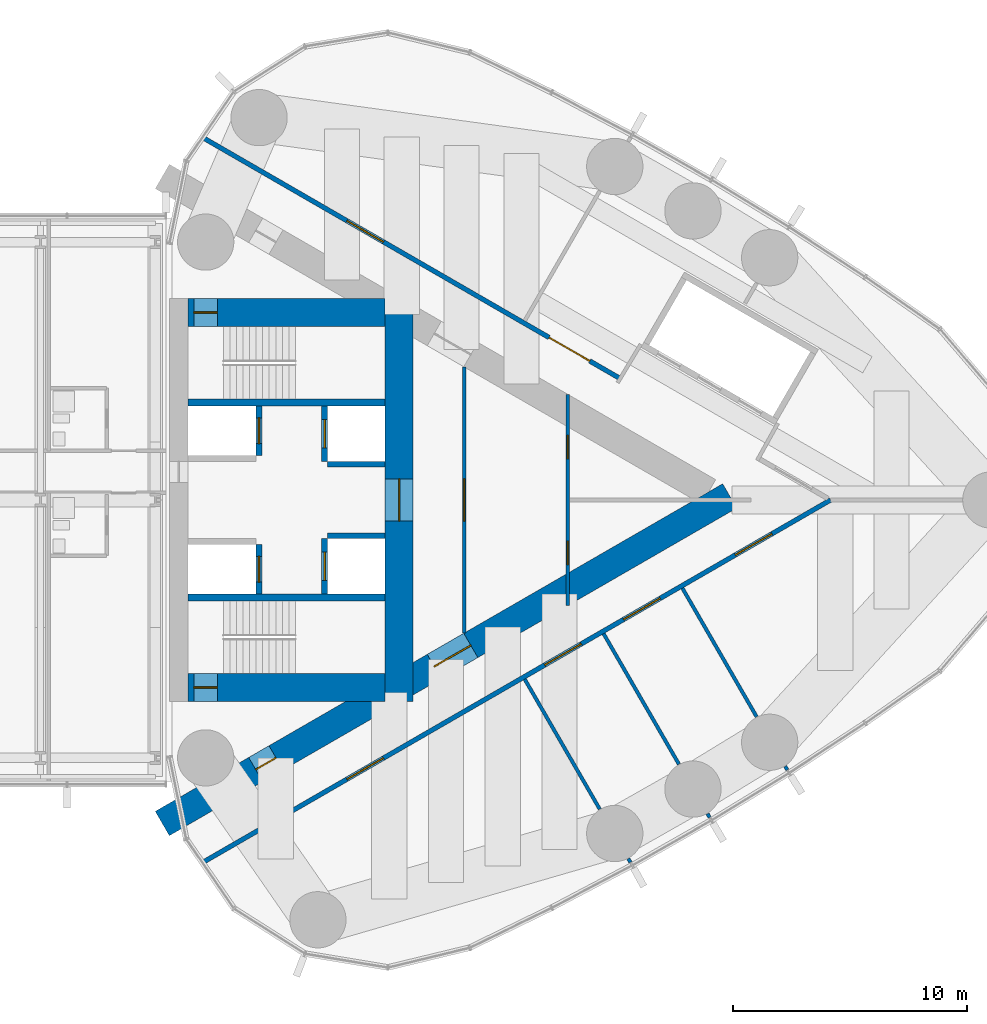
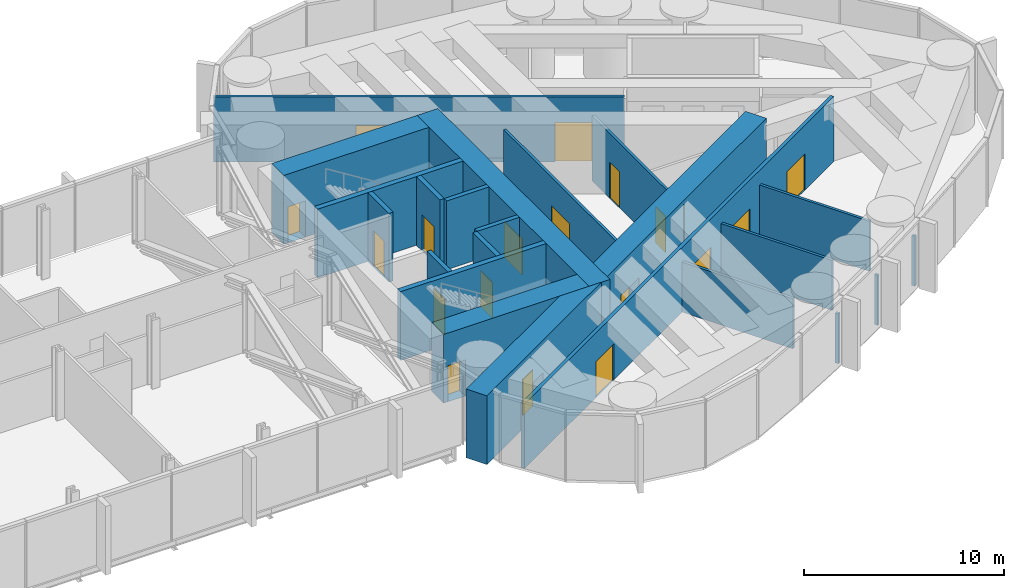
# One storey, part 19 of 23: 22 walls, 18 doors, 18 openings.
"""IFC4 building model written with IfcOpenShell, lengths in metres."""

from ifc_helpers import new_model, si_unit, direction, frame, frame_2d, origin, place, context, subcontext, project, spatial, rectangle, extrude, material, layer, layer_set, type_object, element, fill, save


model = new_model("IFC4")

# Units and contexts
model_context = context("Model", 3, precision=1e-05, world=origin(), true_north=direction((0.0, 1.0)))
body_context = subcontext(model_context, "Body", "Model", "MODEL_VIEW")
ifc_project = project(units=[si_unit("LENGTHUNIT", "METRE"), si_unit("AREAUNIT", "SQUARE_METRE"), si_unit("VOLUMEUNIT", "CUBIC_METRE"), si_unit("PLANEANGLEUNIT", "RADIAN"), si_unit("MASSUNIT", "GRAM", prefix="KILO")], contexts=[model_context])

# Site, building, storey
site_placement = place(None, origin())
site = spatial("IfcSite", under=ifc_project, at=site_placement, CompositionType="ELEMENT")
building_placement = place(site_placement, origin())
building = spatial("IfcBuilding", under=site, at=building_placement, Name="Lancet Gate Hotel", CompositionType="ELEMENT")
storey_placement = place(building_placement, frame((0.0, 0.0, 247.699951171875)))
storey = spatial("IfcBuildingStorey", under=building, at=storey_placement, Name="L66", CompositionType="ELEMENT", Elevation=247.699951171875)

# Wall, openings, doors
ifc_material_1 = material(Name="Concrete C70/85", Category="concrete")
ifc_layer_1 = layer(ifc_material_1, 1.199951171875)
ifc_layer_set_1 = layer_set([ifc_layer_1], Name="Buttress wall 1200")
wall_type_1 = type_object("IfcWallType", Name="Buttress wall 1200", PredefinedType="SHEAR", material=ifc_layer_set_1)
wall_1_placement = place(storey_placement, frame((27.199951171875, -13.800048828125, 0.0), z_axis=(0.0, 0.0, 1.0), x_axis=(0.866027159892, 0.499996958321, 0.0)))
wall_1 = element("IfcWall", 1, at=wall_1_placement, inside=storey, type_object=wall_type_1, Name="T2 buttress wall S L66", PredefinedType="SHEAR", context=body_context, shape_type="SweptSolid", body=[
    extrude(rectangle(XDim=27.946533203125, YDim=1.199951171875, at=frame_2d((13.97314453125, 0.0))), origin(), (0.0, 0.0, 1.0), 4.199951171875),
])
opening_1_placement = place(wall_1_placement, frame((4.60009765625, 0.0, 0.0)))
opening_1 = element("IfcOpeningElement", 2, at=opening_1_placement, cuts=wall_1, Name="Opening T2-L66-LS", PredefinedType="OPENING", context=body_context, shape_type="SweptSolid", body=[
    extrude(rectangle(XDim=1.0, YDim=2.199951171875, at=frame_2d((0.5, 1.10009765625))), frame((0.0, 0.60986328125, 0.0), z_axis=(0.0, -1.0, 0.0), x_axis=(1.0, 0.0, 0.0)), (0.0, 0.0, 1.0), 1.219970703125),
])
opening_2_placement = place(wall_1_placement, frame((13.39453125, 0.0, 0.0)))
opening_2 = element("IfcOpeningElement", 3, at=opening_2_placement, cuts=wall_1, Name="Opening T2-L66-LHS", PredefinedType="OPENING", context=body_context, shape_type="SweptSolid", body=[
    extrude(rectangle(XDim=1.800048828125, YDim=2.199951171875, at=frame_2d((0.89990234375, 1.10009765625))), frame((0.0, 0.60986328125, 0.0), z_axis=(0.0, -1.0, 0.0), x_axis=(1.0, 0.0, 0.0)), (0.0, 0.0, 1.0), 1.219970703125),
])
ifc_material_2 = material(Name="Timber door set", Category="wood")
door_type_1 = type_object("IfcDoorType", Name="Lobby double door 1800", OperationType="DOUBLE_DOOR_SINGLE_SWING", PredefinedType="DOOR", material=ifc_material_2)
door_1_placement = place(opening_2_placement, origin())
door_1 = element("IfcDoor", 4, at=door_1_placement, inside=storey, type_object=door_type_1, Name="T2-L66-LHS", OperationType="DOUBLE_DOOR_SINGLE_SWING", OverallHeight=2.199951171875, OverallWidth=1.800048828125, PredefinedType="DOOR", context=body_context, shape_type="SweptSolid", body=[
    extrude(rectangle(XDim=1.800048828125, YDim=2.199951171875, at=frame_2d((0.89990234375, 1.10009765625))), frame((0.0, 0.02490234375, 0.0), z_axis=(0.0, -1.0, 0.0), x_axis=(1.0, 0.0, 0.0)), (0.0, 0.0, 1.0), 0.050048828125),
])
fill(opening_2, door_1)
ifc_material_3 = material(Name="Timber door set", Category="wood")
door_type_2 = type_object("IfcDoorType", Name="Stair lobby door 1000", OperationType="SINGLE_SWING_LEFT", PredefinedType="DOOR", material=ifc_material_3)
door_2_placement = place(opening_1_placement, origin())
door_2 = element("IfcDoor", 5, at=door_2_placement, inside=storey, type_object=door_type_2, Name="T2-L66-LS", OperationType="SINGLE_SWING_LEFT", OverallHeight=2.199951171875, OverallWidth=1.0, PredefinedType="DOOR", context=body_context, shape_type="SweptSolid", body=[
    extrude(rectangle(XDim=1.0, YDim=2.199951171875, at=frame_2d((0.5, 1.10009765625))), frame((0.0, 0.02490234375, 0.0), z_axis=(0.0, -1.0, 0.0), x_axis=(1.0, 0.0, 0.0)), (0.0, 0.0, 1.0), 0.050048828125),
])
fill(opening_1, door_2)

# Wall, opening, door
ifc_material_4 = material(Name="Concrete C70/85", Category="concrete")
ifc_layer_2 = layer(ifc_material_4, 1.199951171875)
ifc_layer_set_2 = layer_set([ifc_layer_2], Name="Core wall 1200")
wall_type_2 = type_object("IfcWallType", Name="Core wall 1200", PredefinedType="SHEAR", material=ifc_layer_set_2)
wall_2_placement = place(storey_placement, frame((37.300048828125, -8.60009765625, 0.0), z_axis=(0.0, 0.0, 1.0), x_axis=(0.0, 1.0, 0.0)))
wall_2 = element("IfcWall", 6, at=wall_2_placement, inside=storey, type_object=wall_type_2, Name="T2 core wall back L66", PredefinedType="SHEAR", context=body_context, shape_type="SweptSolid", body=[
    extrude(rectangle(XDim=17.2001953125, YDim=1.199951171875, at=frame_2d((8.60009765625, 0.0))), origin(), (0.0, 0.0, 1.0), 4.199951171875),
])
opening_3_placement = place(wall_2_placement, frame((7.699951171875, 0.0, 0.0)))
opening_3 = element("IfcOpeningElement", 7, at=opening_3_placement, cuts=wall_2, Name="Opening T2-L66-LL", PredefinedType="OPENING", context=body_context, shape_type="SweptSolid", body=[
    extrude(rectangle(XDim=1.800048828125, YDim=2.199951171875, at=frame_2d((0.89990234375, 1.10009765625))), frame((0.0, 0.60986328125, 0.0), z_axis=(0.0, -1.0, 0.0), x_axis=(1.0, 0.0, 0.0)), (0.0, 0.0, 1.0), 1.219970703125),
])
door_3_placement = place(opening_3_placement, origin())
door_3 = element("IfcDoor", 8, at=door_3_placement, inside=storey, type_object=door_type_1, Name="T2-L66-LL", OperationType="DOUBLE_DOOR_SINGLE_SWING", OverallHeight=2.199951171875, OverallWidth=1.800048828125, PredefinedType="DOOR", context=body_context, shape_type="SweptSolid", body=[
    extrude(rectangle(XDim=1.800048828125, YDim=2.199951171875, at=frame_2d((0.89990234375, 1.10009765625))), frame((0.0, 0.02490234375, 0.0), z_axis=(0.0, -1.0, 0.0), x_axis=(1.0, 0.0, 0.0)), (0.0, 0.0, 1.0), 0.050048828125),
])
fill(opening_3, door_3)

wall_3_placement = place(storey_placement, frame((28.300048828125, -8.0, 0.0), z_axis=(0.0, 0.0, 1.0), x_axis=(1.0, 0.0, 0.0)))
wall_3 = element("IfcWall", 9, at=wall_3_placement, inside=storey, type_object=wall_type_2, Name="T2 core wall side-S L66", PredefinedType="SHEAR", context=body_context, shape_type="SweptSolid", body=[
    extrude(rectangle(XDim=8.39990234375, YDim=1.199951171875, at=frame_2d((4.199951171875, 0.0))), origin(), (0.0, 0.0, 1.0), 4.199951171875),
])
opening_4_placement = place(wall_3_placement, frame((0.25, 0.0, 0.0)))
opening_4 = element("IfcOpeningElement", 10, at=opening_4_placement, cuts=wall_3, Name="Opening T2-L66-ST1", PredefinedType="OPENING", context=body_context, shape_type="SweptSolid", body=[
    extrude(rectangle(XDim=1.0, YDim=2.199951171875, at=frame_2d((0.5, 1.10009765625))), frame((0.0, 0.60986328125, 0.0), z_axis=(0.0, -1.0, 0.0), x_axis=(1.0, 0.0, 0.0)), (0.0, 0.0, 1.0), 1.219970703125),
])
ifc_material_5 = material(Name="Timber door set", Category="wood")
door_type_3 = type_object("IfcDoorType", Name="Stair door 1000", OperationType="SINGLE_SWING_RIGHT", PredefinedType="DOOR", material=ifc_material_5)
door_4_placement = place(opening_4_placement, origin())
door_4 = element("IfcDoor", 11, at=door_4_placement, inside=storey, type_object=door_type_3, Name="T2-L66-ST1", OperationType="SINGLE_SWING_RIGHT", OverallHeight=2.199951171875, OverallWidth=1.0, PredefinedType="DOOR", context=body_context, shape_type="SweptSolid", body=[
    extrude(rectangle(XDim=1.0, YDim=2.199951171875, at=frame_2d((0.5, 1.10009765625))), frame((0.0, 0.02490234375, 0.0), z_axis=(0.0, -1.0, 0.0), x_axis=(1.0, 0.0, 0.0)), (0.0, 0.0, 1.0), 0.050048828125),
])
fill(opening_4, door_4)

wall_4_placement = place(storey_placement, frame((28.300048828125, 8.0, 0.0), z_axis=(0.0, 0.0, 1.0), x_axis=(1.0, 0.0, 0.0)))
wall_4 = element("IfcWall", 12, at=wall_4_placement, inside=storey, type_object=wall_type_2, Name="T2 core wall side-N L66", PredefinedType="SHEAR", context=body_context, shape_type="SweptSolid", body=[
    extrude(rectangle(XDim=8.39990234375, YDim=1.199951171875, at=frame_2d((4.199951171875, 0.0))), origin(), (0.0, 0.0, 1.0), 4.199951171875),
])
opening_5_placement = place(wall_4_placement, frame((0.25, 0.0, 0.0)))
opening_5 = element("IfcOpeningElement", 13, at=opening_5_placement, cuts=wall_4, Name="Opening T2-L66-ST2", PredefinedType="OPENING", context=body_context, shape_type="SweptSolid", body=[
    extrude(rectangle(XDim=1.0, YDim=2.199951171875, at=frame_2d((0.5, 1.10009765625))), frame((0.0, 0.60986328125, 0.0), z_axis=(0.0, -1.0, 0.0), x_axis=(1.0, 0.0, 0.0)), (0.0, 0.0, 1.0), 1.219970703125),
])
door_5_placement = place(opening_5_placement, origin())
door_5 = element("IfcDoor", 14, at=door_5_placement, inside=storey, type_object=door_type_3, Name="T2-L66-ST2", OperationType="SINGLE_SWING_RIGHT", OverallHeight=2.199951171875, OverallWidth=1.0, PredefinedType="DOOR", context=body_context, shape_type="SweptSolid", body=[
    extrude(rectangle(XDim=1.0, YDim=2.199951171875, at=frame_2d((0.5, 1.10009765625))), frame((0.0, 0.02490234375, 0.0), z_axis=(0.0, -1.0, 0.0), x_axis=(1.0, 0.0, 0.0)), (0.0, 0.0, 1.0), 0.050048828125),
])
fill(opening_5, door_5)

# Wall, openings, doors
ifc_material_6 = material(Name="Gypsum board partition")
ifc_layer_3 = layer(ifc_material_6, 0.199951171875)
ifc_layer_set_3 = layer_set([ifc_layer_3], Name="Corridor wall 200")
wall_type_3 = type_object("IfcWallType", Name="Corridor wall 200", PredefinedType="PARTITIONING", material=ifc_layer_set_3)
wall_5_placement = place(storey_placement, frame((28.90673828125, -15.470458984375, 0.0), z_axis=(0.0, 0.0, 1.0), x_axis=(0.866023700353, 0.500002950419, 0.0)))
wall_5 = element("IfcWall", 15, at=wall_5_placement, inside=storey, type_object=wall_type_3, Name="T2 corridor wall 200 L66", PredefinedType="PARTITIONING", context=body_context, shape_type="SweptSolid", body=[
    extrude(rectangle(XDim=30.940673828125, YDim=0.199951171875, at=frame_2d((15.47021484375, 0.0))), origin(), (0.0, 0.0, 1.0), 3.949951171875),
])
opening_6_placement = place(wall_5_placement, frame((7.123779296875, 0.0, 0.0)))
opening_6 = element("IfcOpeningElement", 16, at=opening_6_placement, cuts=wall_5, Name="Opening T2-L66-DK01", PredefinedType="OPENING", context=body_context, shape_type="SweptSolid", body=[
    extrude(rectangle(XDim=1.800048828125, YDim=2.199951171875, at=frame_2d((0.89990234375, 1.10009765625))), frame((0.0, 0.10986328125, 0.0), z_axis=(0.0, -1.0, 0.0), x_axis=(1.0, 0.0, 0.0)), (0.0, 0.0, 1.0), 0.219970703125),
])
opening_7_placement = place(wall_5_placement, frame((16.864501953125, 0.0, 0.0)))
opening_7 = element("IfcOpeningElement", 17, at=opening_7_placement, cuts=wall_5, Name="Opening T2-L66-DK02", PredefinedType="OPENING", context=body_context, shape_type="SweptSolid", body=[
    extrude(rectangle(XDim=1.800048828125, YDim=2.199951171875, at=frame_2d((0.89990234375, 1.10009765625))), frame((0.0, 0.10986328125, 0.0), z_axis=(0.0, -1.0, 0.0), x_axis=(1.0, 0.0, 0.0)), (0.0, 0.0, 1.0), 0.219970703125),
])
opening_8_placement = place(wall_5_placement, frame((20.74755859375, 0.0, 0.0)))
opening_8 = element("IfcOpeningElement", 18, at=opening_8_placement, cuts=wall_5, Name="Opening T2-L66-DK03", PredefinedType="OPENING", context=body_context, shape_type="SweptSolid", body=[
    extrude(rectangle(XDim=1.800048828125, YDim=2.199951171875, at=frame_2d((0.89990234375, 1.10009765625))), frame((0.0, 0.10986328125, 0.0), z_axis=(0.0, -1.0, 0.0), x_axis=(1.0, 0.0, 0.0)), (0.0, 0.0, 1.0), 0.219970703125),
])
opening_9_placement = place(wall_5_placement, frame((26.252197265625, 0.0, 0.0)))
opening_9 = element("IfcOpeningElement", 19, at=opening_9_placement, cuts=wall_5, Name="Opening T2-L66-DK04", PredefinedType="OPENING", context=body_context, shape_type="SweptSolid", body=[
    extrude(rectangle(XDim=1.800048828125, YDim=2.199951171875, at=frame_2d((0.89990234375, 1.10009765625))), frame((0.0, 0.10986328125, 0.0), z_axis=(0.0, -1.0, 0.0), x_axis=(1.0, 0.0, 0.0)), (0.0, 0.0, 1.0), 0.219970703125),
])
ifc_material_7 = material(Name="Timber door set", Category="wood")
door_type_4 = type_object("IfcDoorType", Name="Double door 1800", OperationType="DOUBLE_DOOR_SINGLE_SWING", PredefinedType="DOOR", material=ifc_material_7)
door_6_placement = place(opening_6_placement, origin())
door_6 = element("IfcDoor", 20, at=door_6_placement, inside=storey, type_object=door_type_4, Name="T2-L66-DK01", OperationType="DOUBLE_DOOR_SINGLE_SWING", OverallHeight=2.199951171875, OverallWidth=1.800048828125, PredefinedType="DOOR", context=body_context, shape_type="SweptSolid", body=[
    extrude(rectangle(XDim=1.800048828125, YDim=2.199951171875, at=frame_2d((0.89990234375, 1.10009765625))), frame((0.0, 0.02490234375, 0.0), z_axis=(0.0, -1.0, 0.0), x_axis=(1.0, 0.0, 0.0)), (0.0, 0.0, 1.0), 0.050048828125),
])
fill(opening_6, door_6)
door_7_placement = place(opening_7_placement, origin())
door_7 = element("IfcDoor", 21, at=door_7_placement, inside=storey, type_object=door_type_4, Name="T2-L66-DK02", OperationType="DOUBLE_DOOR_SINGLE_SWING", OverallHeight=2.199951171875, OverallWidth=1.800048828125, PredefinedType="DOOR", context=body_context, shape_type="SweptSolid", body=[
    extrude(rectangle(XDim=1.800048828125, YDim=2.199951171875, at=frame_2d((0.89990234375, 1.10009765625))), frame((0.0, 0.02490234375, 0.0), z_axis=(0.0, -1.0, 0.0), x_axis=(1.0, 0.0, 0.0)), (0.0, 0.0, 1.0), 0.050048828125),
])
fill(opening_7, door_7)
door_8_placement = place(opening_8_placement, origin())
door_8 = element("IfcDoor", 22, at=door_8_placement, inside=storey, type_object=door_type_4, Name="T2-L66-DK03", OperationType="DOUBLE_DOOR_SINGLE_SWING", OverallHeight=2.199951171875, OverallWidth=1.800048828125, PredefinedType="DOOR", context=body_context, shape_type="SweptSolid", body=[
    extrude(rectangle(XDim=1.800048828125, YDim=2.199951171875, at=frame_2d((0.89990234375, 1.10009765625))), frame((0.0, 0.02490234375, 0.0), z_axis=(0.0, -1.0, 0.0), x_axis=(1.0, 0.0, 0.0)), (0.0, 0.0, 1.0), 0.050048828125),
])
fill(opening_8, door_8)
door_9_placement = place(opening_9_placement, origin())
door_9 = element("IfcDoor", 23, at=door_9_placement, inside=storey, type_object=door_type_4, Name="T2-L66-DK04", OperationType="DOUBLE_DOOR_SINGLE_SWING", OverallHeight=2.199951171875, OverallWidth=1.800048828125, PredefinedType="DOOR", context=body_context, shape_type="SweptSolid", body=[
    extrude(rectangle(XDim=1.800048828125, YDim=2.199951171875, at=frame_2d((0.89990234375, 1.10009765625))), frame((0.0, 0.02490234375, 0.0), z_axis=(0.0, -1.0, 0.0), x_axis=(1.0, 0.0, 0.0)), (0.0, 0.0, 1.0), 0.050048828125),
])
fill(opening_9, door_9)

wall_6_placement = place(storey_placement, frame((28.90673828125, 15.470458984375, 0.0), z_axis=(0.0, 0.0, 1.0), x_axis=(0.866026627509, -0.499997880441, 0.0)))
wall_6 = element("IfcWall", 24, at=wall_6_placement, inside=storey, type_object=wall_type_3, Name="T2 corridor wall 200 L66", PredefinedType="PARTITIONING", context=body_context, shape_type="SweptSolid", body=[
    extrude(rectangle(XDim=20.5634765625, YDim=0.199951171875, at=frame_2d((10.28173828125, 0.0))), origin(), (0.0, 0.0, 1.0), 3.949951171875),
])
opening_10_placement = place(wall_6_placement, frame((17.08056640625, 0.0, 0.0)))
opening_10 = element("IfcOpeningElement", 25, at=opening_10_placement, cuts=wall_6, Name="Opening T2-L66-DK07", PredefinedType="OPENING", context=body_context, shape_type="SweptSolid", body=[
    extrude(rectangle(XDim=2.0, YDim=2.39990234375, at=frame_2d((1.0, 1.199951171875))), frame((0.0, 0.10986328125, 0.0), z_axis=(0.0, -1.0, 0.0), x_axis=(1.0, 0.0, 0.0)), (0.0, 0.0, 1.0), 0.219970703125),
])
opening_11_placement = place(wall_6_placement, frame((7.123779296875, 0.0, 0.0)))
opening_11 = element("IfcOpeningElement", 26, at=opening_11_placement, cuts=wall_6, Name="Opening T2-L66-DK08", PredefinedType="OPENING", context=body_context, shape_type="SweptSolid", body=[
    extrude(rectangle(XDim=1.800048828125, YDim=2.199951171875, at=frame_2d((0.89990234375, 1.10009765625))), frame((0.0, 0.10986328125, 0.0), z_axis=(0.0, -1.0, 0.0), x_axis=(1.0, 0.0, 0.0)), (0.0, 0.0, 1.0), 0.219970703125),
])
door_10_placement = place(opening_11_placement, origin())
door_10 = element("IfcDoor", 27, at=door_10_placement, inside=storey, type_object=door_type_4, Name="T2-L66-DK08", OperationType="DOUBLE_DOOR_SINGLE_SWING", OverallHeight=2.199951171875, OverallWidth=1.800048828125, PredefinedType="DOOR", context=body_context, shape_type="SweptSolid", body=[
    extrude(rectangle(XDim=1.800048828125, YDim=2.199951171875, at=frame_2d((0.89990234375, 1.10009765625))), frame((0.0, 0.02490234375, 0.0), z_axis=(0.0, -1.0, 0.0), x_axis=(1.0, 0.0, 0.0)), (0.0, 0.0, 1.0), 0.050048828125),
])
fill(opening_11, door_10)
ifc_material_8 = material(Name="Timber door set", Category="wood")
door_type_5 = type_object("IfcDoorType", Name="Plant room double door 2000", OperationType="DOUBLE_DOOR_SINGLE_SWING", PredefinedType="DOOR", material=ifc_material_8)
door_11_placement = place(opening_10_placement, origin())
door_11 = element("IfcDoor", 28, at=door_11_placement, inside=storey, type_object=door_type_5, Name="T2-L66-DK07", OperationType="DOUBLE_DOOR_SINGLE_SWING", OverallHeight=2.39990234375, OverallWidth=2.0, PredefinedType="DOOR", context=body_context, shape_type="SweptSolid", body=[
    extrude(rectangle(XDim=2.0, YDim=2.39990234375, at=frame_2d((1.0, 1.199951171875))), frame((0.0, 0.02490234375, 0.0), z_axis=(0.0, -1.0, 0.0), x_axis=(1.0, 0.0, 0.0)), (0.0, 0.0, 1.0), 0.050048828125),
])
fill(opening_10, door_11)

# Wall, opening, door
ifc_material_9 = material(Name="Concrete C50/60", Category="concrete")
ifc_layer_4 = layer(ifc_material_9, 0.25)
ifc_layer_set_4 = layer_set([ifc_layer_4], Name="Lift shaft wall 250")
wall_type_4 = type_object("IfcWallType", Name="Lift shaft wall 250", PredefinedType="SHEAR", material=ifc_layer_set_4)
wall_7_placement = place(storey_placement, frame((31.324951171875, -4.0, 0.0), z_axis=(0.0, 0.0, 1.0), x_axis=(0.0, 1.0, 0.0)))
wall_7 = element("IfcWall", 29, at=wall_7_placement, inside=storey, type_object=wall_type_4, Name="T2 core wall row1-S L66", PredefinedType="SHEAR", context=body_context, shape_type="SweptSolid", body=[
    extrude(rectangle(XDim=2.10009765625, YDim=0.25, at=frame_2d((1.050048828125, 0.0))), origin(), (0.0, 0.0, 1.0), 4.199951171875),
])
opening_12_placement = place(wall_7_placement, frame((0.5, 0.0, 0.0)))
opening_12 = element("IfcOpeningElement", 30, at=opening_12_placement, cuts=wall_7, Name="Opening T2-SL1-L66", PredefinedType="OPENING", context=body_context, shape_type="SweptSolid", body=[
    extrude(rectangle(XDim=1.10009765625, YDim=2.199951171875, at=frame_2d((0.550048828125, 1.10009765625))), frame((0.0, 0.135009765625, 0.0), z_axis=(0.0, -1.0, 0.0), x_axis=(1.0, 0.0, 0.0)), (0.0, 0.0, 1.0), 0.27001953125),
])
ifc_material_10 = material(Name="Timber door set", Category="wood")
door_type_6 = type_object("IfcDoorType", Name="Service lift landing door 1100", OperationType="SLIDING_TO_LEFT", PredefinedType="USERDEFINED", material=ifc_material_10)
door_12_placement = place(opening_12_placement, origin())
door_12 = element("IfcDoor", 31, at=door_12_placement, inside=storey, type_object=door_type_6, Name="T2-SL1-L66", ObjectType="LIFT LANDING DOOR", OperationType="SLIDING_TO_LEFT", OverallHeight=2.199951171875, OverallWidth=1.10009765625, PredefinedType="USERDEFINED", context=body_context, shape_type="SweptSolid", body=[
    extrude(rectangle(XDim=1.10009765625, YDim=2.199951171875, at=frame_2d((0.550048828125, 1.10009765625))), frame((0.0, 0.02490234375, 0.0), z_axis=(0.0, -1.0, 0.0), x_axis=(1.0, 0.0, 0.0)), (0.0, 0.0, 1.0), 0.050048828125),
])
fill(opening_12, door_12)

wall_8_placement = place(storey_placement, frame((34.125, -4.0, 0.0), z_axis=(0.0, 0.0, 1.0), x_axis=(0.0, 1.0, 0.0)))
wall_8 = element("IfcWall", 32, at=wall_8_placement, inside=storey, type_object=wall_type_4, Name="T2 core wall row2-S L66", PredefinedType="SHEAR", context=body_context, shape_type="SweptSolid", body=[
    extrude(rectangle(XDim=2.35009765625, YDim=0.25, at=frame_2d((1.175048828125, 0.0))), origin(), (0.0, 0.0, 1.0), 4.199951171875),
])
opening_13_placement = place(wall_8_placement, frame((0.574951171875, 0.0, 0.0)))
opening_13 = element("IfcOpeningElement", 33, at=opening_13_placement, cuts=wall_8, Name="Opening T2-OL3-L66", PredefinedType="OPENING", context=body_context, shape_type="SweptSolid", body=[
    extrude(rectangle(XDim=1.199951171875, YDim=2.199951171875, at=frame_2d((0.60009765625, 1.10009765625))), frame((0.0, 0.135009765625, 0.0), z_axis=(0.0, -1.0, 0.0), x_axis=(1.0, 0.0, 0.0)), (0.0, 0.0, 1.0), 0.27001953125),
])
ifc_material_11 = material(Name="Timber door set", Category="wood")
door_type_7 = type_object("IfcDoorType", Name="Shuttle lift landing door 1200", OperationType="DOUBLE_DOOR_SLIDING", PredefinedType="USERDEFINED", material=ifc_material_11)
door_13_placement = place(opening_13_placement, origin())
door_13 = element("IfcDoor", 34, at=door_13_placement, inside=storey, type_object=door_type_7, Name="T2-OL3-L66", ObjectType="LIFT LANDING DOOR", OperationType="DOUBLE_DOOR_SLIDING", OverallHeight=2.199951171875, OverallWidth=1.199951171875, PredefinedType="USERDEFINED", context=body_context, shape_type="SweptSolid", body=[
    extrude(rectangle(XDim=1.199951171875, YDim=2.199951171875, at=frame_2d((0.60009765625, 1.10009765625))), frame((0.0, 0.02490234375, 0.0), z_axis=(0.0, -1.0, 0.0), x_axis=(1.0, 0.0, 0.0)), (0.0, 0.0, 1.0), 0.050048828125),
])
fill(opening_13, door_13)

# Wall
wall_9_placement = place(storey_placement, frame((34.25, -1.52490234375, 0.0), z_axis=(0.0, 0.0, 1.0), x_axis=(1.0, 0.0, 0.0)))
element("IfcWall", 35, at=wall_9_placement, inside=storey, type_object=wall_type_4, Name="T2 core wall pass2-S L66", PredefinedType="SHEAR", context=body_context, shape_type="SweptSolid", body=[
    extrude(rectangle(XDim=2.449951171875, YDim=0.25, at=frame_2d((1.22509765625, 0.0))), origin(), (0.0, 0.0, 1.0), 4.199951171875),
])

# Wall, opening, door
wall_10_placement = place(storey_placement, frame((31.324951171875, 1.89990234375, 0.0), z_axis=(0.0, 0.0, 1.0), x_axis=(0.0, 1.0, 0.0)))
wall_10 = element("IfcWall", 36, at=wall_10_placement, inside=storey, type_object=wall_type_4, Name="T2 core wall row1-N L66", PredefinedType="SHEAR", context=body_context, shape_type="SweptSolid", body=[
    extrude(rectangle(XDim=2.10009765625, YDim=0.25, at=frame_2d((1.050048828125, 0.0))), origin(), (0.0, 0.0, 1.0), 4.199951171875),
])
opening_14_placement = place(wall_10_placement, frame((0.5, 0.0, 0.0)))
opening_14 = element("IfcOpeningElement", 37, at=opening_14_placement, cuts=wall_10, Name="Opening T2-FL2-L66", PredefinedType="OPENING", context=body_context, shape_type="SweptSolid", body=[
    extrude(rectangle(XDim=1.10009765625, YDim=2.199951171875, at=frame_2d((0.550048828125, 1.10009765625))), frame((0.0, 0.135009765625, 0.0), z_axis=(0.0, -1.0, 0.0), x_axis=(1.0, 0.0, 0.0)), (0.0, 0.0, 1.0), 0.27001953125),
])
ifc_material_12 = material(Name="Steel door set", Category="steel")
door_type_8 = type_object("IfcDoorType", Name="Firefighting lift landing door 1100", OperationType="SLIDING_TO_LEFT", PredefinedType="USERDEFINED", material=ifc_material_12)
door_14_placement = place(opening_14_placement, origin())
door_14 = element("IfcDoor", 38, at=door_14_placement, inside=storey, type_object=door_type_8, Name="T2-FL2-L66", ObjectType="LIFT LANDING DOOR", OperationType="SLIDING_TO_LEFT", OverallHeight=2.199951171875, OverallWidth=1.10009765625, PredefinedType="USERDEFINED", context=body_context, shape_type="SweptSolid", body=[
    extrude(rectangle(XDim=1.10009765625, YDim=2.199951171875, at=frame_2d((0.550048828125, 1.10009765625))), frame((0.0, 0.02490234375, 0.0), z_axis=(0.0, -1.0, 0.0), x_axis=(1.0, 0.0, 0.0)), (0.0, 0.0, 1.0), 0.050048828125),
])
fill(opening_14, door_14)

wall_11_placement = place(storey_placement, frame((34.125, 1.64990234375, 0.0), z_axis=(0.0, 0.0, 1.0), x_axis=(0.0, 1.0, 0.0)))
wall_11 = element("IfcWall", 39, at=wall_11_placement, inside=storey, type_object=wall_type_4, Name="T2 core wall row2-N L66", PredefinedType="SHEAR", context=body_context, shape_type="SweptSolid", body=[
    extrude(rectangle(XDim=2.35009765625, YDim=0.25, at=frame_2d((1.175048828125, 0.0))), origin(), (0.0, 0.0, 1.0), 4.199951171875),
])
opening_15_placement = place(wall_11_placement, frame((0.574951171875, 0.0, 0.0)))
opening_15 = element("IfcOpeningElement", 40, at=opening_15_placement, cuts=wall_11, Name="Opening T2-OL4-L66", PredefinedType="OPENING", context=body_context, shape_type="SweptSolid", body=[
    extrude(rectangle(XDim=1.199951171875, YDim=2.199951171875, at=frame_2d((0.60009765625, 1.10009765625))), frame((0.0, 0.135009765625, 0.0), z_axis=(0.0, -1.0, 0.0), x_axis=(1.0, 0.0, 0.0)), (0.0, 0.0, 1.0), 0.27001953125),
])
door_15_placement = place(opening_15_placement, origin())
door_15 = element("IfcDoor", 41, at=door_15_placement, inside=storey, type_object=door_type_7, Name="T2-OL4-L66", ObjectType="LIFT LANDING DOOR", OperationType="DOUBLE_DOOR_SLIDING", OverallHeight=2.199951171875, OverallWidth=1.199951171875, PredefinedType="USERDEFINED", context=body_context, shape_type="SweptSolid", body=[
    extrude(rectangle(XDim=1.199951171875, YDim=2.199951171875, at=frame_2d((0.60009765625, 1.10009765625))), frame((0.0, 0.02490234375, 0.0), z_axis=(0.0, -1.0, 0.0), x_axis=(1.0, 0.0, 0.0)), (0.0, 0.0, 1.0), 0.050048828125),
])
fill(opening_15, door_15)

# Walls
wall_12_placement = place(storey_placement, frame((34.25, 1.52490234375, 0.0), z_axis=(0.0, 0.0, 1.0), x_axis=(1.0, 0.0, 0.0)))
element("IfcWall", 42, at=wall_12_placement, inside=storey, type_object=wall_type_4, Name="T2 core wall pass2-N L66", PredefinedType="SHEAR", context=body_context, shape_type="SweptSolid", body=[
    extrude(rectangle(XDim=2.449951171875, YDim=0.25, at=frame_2d((1.22509765625, 0.0))), origin(), (0.0, 0.0, 1.0), 4.199951171875),
])
ifc_material_13 = material(Name="Gypsum board partition")
ifc_layer_5 = layer(ifc_material_13, 0.14990234375)
ifc_layer_set_5 = layer_set([ifc_layer_5], Name="Party wall 150")
wall_type_5 = type_object("IfcWallType", Name="Party wall 150", PredefinedType="PARTITIONING", material=ifc_layer_set_5)
wall_13_placement = place(storey_placement, frame((42.65966796875, -7.6455078125, 0.0), z_axis=(0.0, 0.0, 1.0), x_axis=(0.499996592859, -0.866027370889, 0.0)))
element("IfcWall", 43, at=wall_13_placement, inside=storey, type_object=wall_type_5, Name="T2 party wall 150 L66", PredefinedType="PARTITIONING", context=body_context, shape_type="SweptSolid", body=[
    extrude(rectangle(XDim=6.3984375, YDim=0.14990234375, at=frame_2d((3.19921875, 0.0))), origin(), (0.0, 0.0, 1.0), 3.050048828125),
])
wall_14_placement = place(storey_placement, frame((47.078857421875, -15.2998046875, 0.0), z_axis=(0.0, 0.0, 1.0), x_axis=(0.499212083968, -0.866479829667, 0.0)))
element("IfcWall", 44, at=wall_14_placement, inside=storey, type_object=wall_type_5, Name="T2 party wall 150 L66", PredefinedType="PARTITIONING", context=body_context, shape_type="SweptSolid", body=[
    extrude(rectangle(XDim=0.179443359375, YDim=0.14990234375, at=frame_2d((0.08984375, 0.0))), origin(), (0.0, 0.0, 1.0), 3.050048828125),
])
wall_15_placement = place(storey_placement, frame((46.02294921875, -5.703857421875, 0.0), z_axis=(0.0, 0.0, 1.0), x_axis=(0.499984478165, -0.866034365135, 0.0)))
element("IfcWall", 45, at=wall_15_placement, inside=storey, type_object=wall_type_5, Name="T2 party wall 150 L66", PredefinedType="PARTITIONING", context=body_context, shape_type="SweptSolid", body=[
    extrude(rectangle(XDim=6.425537109375, YDim=0.14990234375, at=frame_2d((3.212890625, 0.0))), origin(), (0.0, 0.0, 1.0), 3.050048828125),
])
wall_16_placement = place(storey_placement, frame((50.45556640625, -13.381591796875, 0.0), z_axis=(0.0, 0.0, 1.0), x_axis=(0.500661834965, -0.865642955848, 0.0)))
element("IfcWall", 46, at=wall_16_placement, inside=storey, type_object=wall_type_5, Name="T2 party wall 150 L66", PredefinedType="PARTITIONING", context=body_context, shape_type="SweptSolid", body=[
    extrude(rectangle(XDim=0.179931640625, YDim=0.14990234375, at=frame_2d((0.08984375, 0.0))), origin(), (0.0, 0.0, 1.0), 3.050048828125),
])
wall_17_placement = place(storey_placement, frame((49.38525390625, -3.7626953125, 0.0), z_axis=(0.0, 0.0, 1.0), x_axis=(0.499999447814, -0.866025722589, 0.0)))
element("IfcWall", 47, at=wall_17_placement, inside=storey, type_object=wall_type_5, Name="T2 party wall 150 L66", PredefinedType="PARTITIONING", context=body_context, shape_type="SweptSolid", body=[
    extrude(rectangle(XDim=6.33251953125, YDim=0.14990234375, at=frame_2d((3.166259765625, 0.0))), origin(), (0.0, 0.0, 1.0), 3.050048828125),
])
wall_18_placement = place(storey_placement, frame((53.771484375, -11.35986328125, 0.0), z_axis=(0.0, 0.0, 1.0), x_axis=(0.499524978789, -0.866299483762, 0.0)))
element("IfcWall", 48, at=wall_18_placement, inside=storey, type_object=wall_type_5, Name="T2 party wall 150 L66", PredefinedType="PARTITIONING", context=body_context, shape_type="SweptSolid", body=[
    extrude(rectangle(XDim=0.178466796875, YDim=0.14990234375, at=frame_2d((0.08935546875, 0.0))), origin(), (0.0, 0.0, 1.0), 3.050048828125),
])

# Wall, opening, door
ifc_material_14 = material(Name="Gypsum board partition")
ifc_layer_6 = layer(ifc_material_14, 0.14990234375)
ifc_layer_set_6 = layer_set([ifc_layer_6], Name="Service room wall 150")
wall_type_6 = type_object("IfcWallType", Name="Service room wall 150", PredefinedType="PARTITIONING", material=ifc_layer_set_6)
wall_19_placement = place(storey_placement, frame((40.074951171875, -5.673828125, 0.0), z_axis=(0.0, 0.0, 1.0), x_axis=(0.0, 1.0, 0.0)))
wall_19 = element("IfcWall", 49, at=wall_19_placement, inside=storey, type_object=wall_type_6, Name="T2 service room wall 150 L66", PredefinedType="PARTITIONING", context=body_context, shape_type="SweptSolid", body=[
    extrude(rectangle(XDim=11.34765625, YDim=0.14990234375, at=frame_2d((5.673828125, 0.0))), origin(), (0.0, 0.0, 1.0), 3.949951171875),
])
opening_16_placement = place(wall_19_placement, frame((4.773681640625, 0.0, 0.0)))
opening_16 = element("IfcOpeningElement", 50, at=opening_16_placement, cuts=wall_19, Name="Opening T2-L66-LH", PredefinedType="OPENING", context=body_context, shape_type="SweptSolid", body=[
    extrude(rectangle(XDim=1.800048828125, YDim=2.199951171875, at=frame_2d((0.89990234375, 1.10009765625))), frame((0.0, 0.0849609375, 0.0), z_axis=(0.0, -1.0, 0.0), x_axis=(1.0, 0.0, 0.0)), (0.0, 0.0, 1.0), 0.169921875),
])
door_16_placement = place(opening_16_placement, origin())
door_16 = element("IfcDoor", 51, at=door_16_placement, inside=storey, type_object=door_type_1, Name="T2-L66-LH", OperationType="DOUBLE_DOOR_SINGLE_SWING", OverallHeight=2.199951171875, OverallWidth=1.800048828125, PredefinedType="DOOR", context=body_context, shape_type="SweptSolid", body=[
    extrude(rectangle(XDim=1.800048828125, YDim=2.199951171875, at=frame_2d((0.89990234375, 1.10009765625))), frame((0.0, 0.02490234375, 0.0), z_axis=(0.0, -1.0, 0.0), x_axis=(1.0, 0.0, 0.0)), (0.0, 0.0, 1.0), 0.050048828125),
])
fill(opening_16, door_16)

# Wall, openings, doors
wall_20_placement = place(storey_placement, frame((44.5, -4.504638671875, 0.0), z_axis=(0.0, 0.0, 1.0), x_axis=(0.0, 1.0, 0.0)))
wall_20 = element("IfcWall", 52, at=wall_20_placement, inside=storey, type_object=wall_type_6, Name="T2 service room wall 150 L66", PredefinedType="PARTITIONING", context=body_context, shape_type="SweptSolid", body=[
    extrude(rectangle(XDim=9.00927734375, YDim=0.14990234375, at=frame_2d((4.504638671875, 0.0))), origin(), (0.0, 0.0, 1.0), 3.949951171875),
])
opening_17_placement = place(wall_20_placement, frame((1.752197265625, 0.0, 0.0)))
opening_17 = element("IfcOpeningElement", 53, at=opening_17_placement, cuts=wall_20, Name="Opening T2-L66-SV", PredefinedType="OPENING", context=body_context, shape_type="SweptSolid", body=[
    extrude(rectangle(XDim=1.0, YDim=2.199951171875, at=frame_2d((0.5, 1.10009765625))), frame((0.0, 0.0849609375, 0.0), z_axis=(0.0, -1.0, 0.0), x_axis=(1.0, 0.0, 0.0)), (0.0, 0.0, 1.0), 0.169921875),
])
opening_18_placement = place(wall_20_placement, frame((6.2568359375, 0.0, 0.0)))
opening_18 = element("IfcOpeningElement", 54, at=opening_18_placement, cuts=wall_20, Name="Opening T2-L66-SV2", PredefinedType="OPENING", context=body_context, shape_type="SweptSolid", body=[
    extrude(rectangle(XDim=1.0, YDim=2.199951171875, at=frame_2d((0.5, 1.10009765625))), frame((0.0, 0.0849609375, 0.0), z_axis=(0.0, -1.0, 0.0), x_axis=(1.0, 0.0, 0.0)), (0.0, 0.0, 1.0), 0.169921875),
])
ifc_material_15 = material(Name="Timber door set", Category="wood")
door_type_9 = type_object("IfcDoorType", Name="Service door 1000", OperationType="SINGLE_SWING_LEFT", PredefinedType="DOOR", material=ifc_material_15)
door_17_placement = place(opening_17_placement, origin())
door_17 = element("IfcDoor", 55, at=door_17_placement, inside=storey, type_object=door_type_9, Name="T2-L66-SV", OperationType="SINGLE_SWING_LEFT", OverallHeight=2.199951171875, OverallWidth=1.0, PredefinedType="DOOR", context=body_context, shape_type="SweptSolid", body=[
    extrude(rectangle(XDim=1.0, YDim=2.199951171875, at=frame_2d((0.5, 1.10009765625))), frame((0.0, 0.02490234375, 0.0), z_axis=(0.0, -1.0, 0.0), x_axis=(1.0, 0.0, 0.0)), (0.0, 0.0, 1.0), 0.050048828125),
])
fill(opening_17, door_17)
door_18_placement = place(opening_18_placement, origin())
door_18 = element("IfcDoor", 56, at=door_18_placement, inside=storey, type_object=door_type_9, Name="T2-L66-SV2", OperationType="SINGLE_SWING_LEFT", OverallHeight=2.199951171875, OverallWidth=1.0, PredefinedType="DOOR", context=body_context, shape_type="SweptSolid", body=[
    extrude(rectangle(XDim=1.0, YDim=2.199951171875, at=frame_2d((0.5, 1.10009765625))), frame((0.0, 0.02490234375, 0.0), z_axis=(0.0, -1.0, 0.0), x_axis=(1.0, 0.0, 0.0)), (0.0, 0.0, 1.0), 0.050048828125),
])
fill(opening_18, door_18)

# Walls
ifc_material_16 = material(Name="Concrete C50/60", Category="concrete")
ifc_layer_7 = layer(ifc_material_16, 0.300048828125)
ifc_layer_set_7 = layer_set([ifc_layer_7], Name="Stair enclosure wall 300")
wall_type_7 = type_object("IfcWallType", Name="Stair enclosure wall 300", PredefinedType="SHEAR", material=ifc_layer_set_7)
for number, where, z_axis, x_axis, name in (
    (57, (28.300048828125, -4.14990234375, 0.0), (0.0, 0.0, 1.0), (1.0, 0.0, 0.0), "T2 core wall stair-S L66"),
    (58, (28.300048828125, 4.14990234375, 0.0), (0.0, 0.0, 1.0), (1.0, 0.0, 0.0), "T2 core wall stair-N L66"),
):
    element("IfcWall", number, at=place(storey_placement, frame(where, z_axis=z_axis, x_axis=x_axis)), inside=storey, type_object=wall_type_7, Name=name, PredefinedType="SHEAR", context=body_context, shape_type="SweptSolid", body=[
        extrude(rectangle(XDim=8.39990234375, YDim=0.300048828125, at=frame_2d((4.199951171875, 0.0))), origin(), (0.0, 0.0, 1.0), 4.199951171875),
    ])

save(model, "model.ifc")
